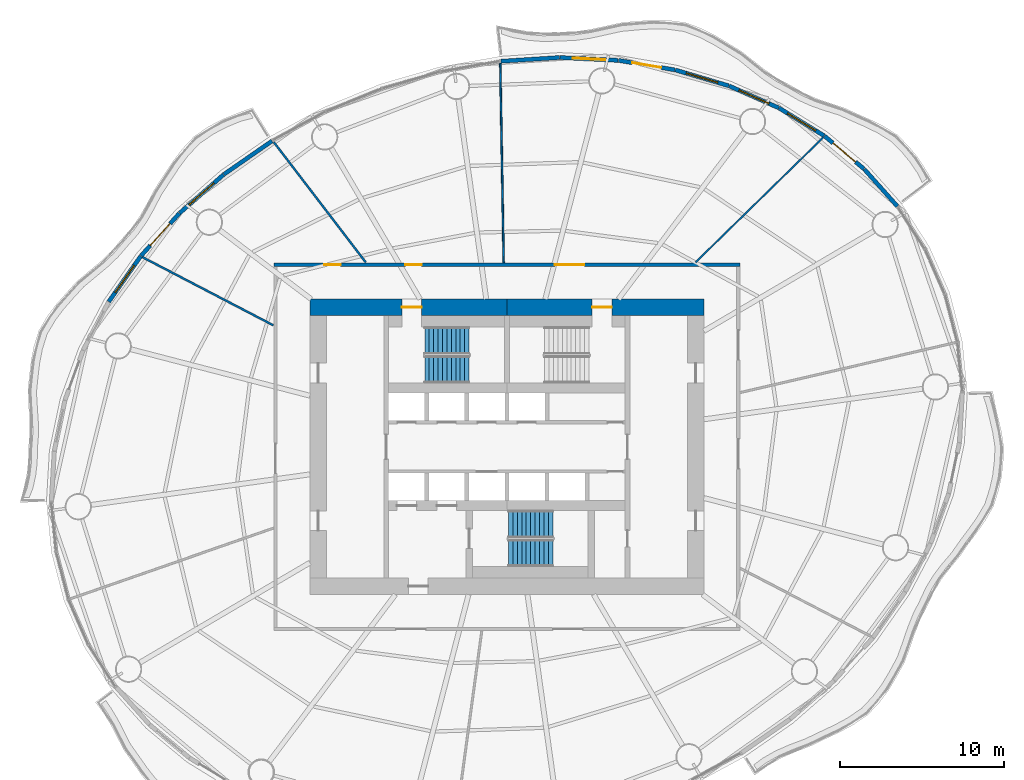
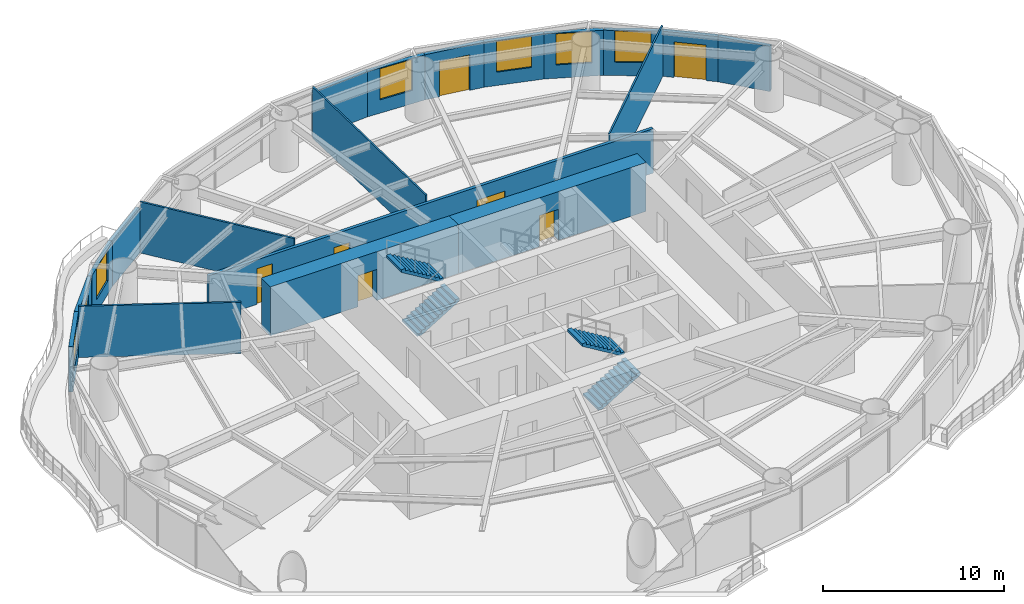
# One storey, part 10 of 16: 19 walls, 8 doors, 6 windows, 4 stair flights, 14 openings, 2 elements without a shape of their own.
"""IFC4 building model written with IfcOpenShell, lengths in metres."""

from ifc_helpers import new_model, si_unit, direction, frame, frame_2d, origin, place, context, subcontext, project, spatial, polyline, rectangle, outline, extrude, material, layer, layer_set, type_object, element, fill, aggregate, save


model = new_model("IFC4")

# Units and contexts
model_context = context("Model", 3, precision=1e-05, world=origin(), true_north=direction((0.0, 1.0)))
body_context = subcontext(model_context, "Body", "Model", "MODEL_VIEW")
ifc_project = project(units=[si_unit("LENGTHUNIT", "METRE"), si_unit("AREAUNIT", "SQUARE_METRE"), si_unit("VOLUMEUNIT", "CUBIC_METRE"), si_unit("PLANEANGLEUNIT", "RADIAN"), si_unit("MASSUNIT", "GRAM", prefix="KILO")], contexts=[model_context])

# Site, building, storey
site_placement = place(None, origin())
site = spatial("IfcSite", under=ifc_project, at=site_placement, CompositionType="ELEMENT")
building_placement = place(site_placement, origin())
building = spatial("IfcBuilding", under=site, at=building_placement, Name="Vermilion Reach Broadcast Tower", CompositionType="ELEMENT")
storey_placement = place(building_placement, frame((0.0, 0.0, 110.199951171875)))
storey = spatial("IfcBuildingStorey", under=building, at=storey_placement, Name="L25", CompositionType="ELEMENT", Elevation=110.199951171875)

# Wall, opening, door
ifc_material_1 = material(Name="Concrete C70", Category="concrete")
ifc_layer_1 = layer(ifc_material_1, 1.0)
ifc_layer_set_1 = layer_set([ifc_layer_1], Name="Core outer wall 1000 mm Concrete C70")
wall_type_1 = type_object("IfcWallType", Name="Core outer wall 1000 mm Concrete C70", PredefinedType="SHEAR", material=ifc_layer_set_1)
wall_1_placement = place(storey_placement, frame((6.0, 8.5, 0.0), z_axis=(0.0, 0.0, 1.0), x_axis=(-1.0, 0.0, 0.0)))
wall_1 = element("IfcWall", 1, at=wall_1_placement, inside=storey, type_object=wall_type_1, Name="L25 core wall onE", PredefinedType="SHEAR", context=body_context, shape_type="SweptSolid", body=[
    extrude(rectangle(XDim=12.0, YDim=1.0, at=frame_2d((6.0, 0.0))), origin(), (0.0, 0.0, 1.0), 3.300048828125),
])
opening_1_placement = place(wall_1_placement, frame((5.60009765625, 0.0, 0.0)))
opening_1 = element("IfcOpeningElement", 2, at=opening_1_placement, cuts=wall_1, Name="Opening D01", PredefinedType="OPENING", context=body_context, shape_type="SweptSolid", body=[
    extrude(rectangle(XDim=1.199951171875, YDim=2.10009765625, at=frame_2d((0.60009765625, 1.050048828125))), frame((0.0, 0.510009765625, 0.0), z_axis=(0.0, -1.0, 0.0), x_axis=(1.0, 0.0, 0.0)), (0.0, 0.0, 1.0), 1.02001953125),
])
ifc_material_2 = material(Name="Painted steel fire door", Category="steel")
door_type_1 = type_object("IfcDoorType", Name="Stair door 1200 x 2100", OperationType="DOUBLE_DOOR_SINGLE_SWING", PredefinedType="NOTDEFINED", material=ifc_material_2)
door_1_placement = place(opening_1_placement, origin())
door_1 = element("IfcDoor", 3, at=door_1_placement, inside=storey, type_object=door_type_1, Name="L25 stair door ST2", OperationType="DOUBLE_DOOR_SINGLE_SWING", OverallHeight=2.10009765625, OverallWidth=1.199951171875, PredefinedType="NOTDEFINED", context=body_context, shape_type="SweptSolid", body=[
    extrude(rectangle(XDim=1.199951171875, YDim=2.10009765625, at=frame_2d((0.60009765625, 1.050048828125))), frame((0.0, 0.02490234375, 0.0), z_axis=(0.0, -1.0, 0.0), x_axis=(1.0, 0.0, 0.0)), (0.0, 0.0, 1.0), 0.050048828125),
])
fill(opening_1, door_1)

wall_2_placement = place(storey_placement, frame((-6.0, 8.5, 0.0), z_axis=(0.0, 0.0, 1.0), x_axis=(-1.0, 0.0, 0.0)))
wall_2 = element("IfcWall", 4, at=wall_2_placement, inside=storey, type_object=wall_type_1, Name="L25 core wall onW", PredefinedType="SHEAR", context=body_context, shape_type="SweptSolid", body=[
    extrude(rectangle(XDim=12.0, YDim=1.0, at=frame_2d((6.0, 0.0))), origin(), (0.0, 0.0, 1.0), 3.300048828125),
])
opening_2_placement = place(wall_2_placement, frame((5.199951171875, 0.0, 0.0)))
opening_2 = element("IfcOpeningElement", 5, at=opening_2_placement, cuts=wall_2, Name="Opening D01", PredefinedType="OPENING", context=body_context, shape_type="SweptSolid", body=[
    extrude(rectangle(XDim=1.199951171875, YDim=2.10009765625, at=frame_2d((0.60009765625, 1.050048828125))), frame((0.0, 0.510009765625, 0.0), z_axis=(0.0, -1.0, 0.0), x_axis=(1.0, 0.0, 0.0)), (0.0, 0.0, 1.0), 1.02001953125),
])
door_2_placement = place(opening_2_placement, origin())
door_2 = element("IfcDoor", 6, at=door_2_placement, inside=storey, type_object=door_type_1, Name="L25 stair door ST1", OperationType="DOUBLE_DOOR_SINGLE_SWING", OverallHeight=2.10009765625, OverallWidth=1.199951171875, PredefinedType="NOTDEFINED", context=body_context, shape_type="SweptSolid", body=[
    extrude(rectangle(XDim=1.199951171875, YDim=2.10009765625, at=frame_2d((0.60009765625, 1.050048828125))), frame((0.0, 0.02490234375, 0.0), z_axis=(0.0, -1.0, 0.0), x_axis=(1.0, 0.0, 0.0)), (0.0, 0.0, 1.0), 0.050048828125),
])
fill(opening_2, door_2)

# Walls
ifc_material_3 = material(Name="Plasterboard on steel stud", Category="steel")
ifc_layer_2 = layer(ifc_material_3, 0.10009765625)
ifc_layer_set_2 = layer_set([ifc_layer_2], Name="Partition 100 steel stud")
wall_type_2 = type_object("IfcWallType", Name="Partition 100 steel stud", PredefinedType="PARTITIONING", material=ifc_layer_set_2)
wall_3_placement = place(storey_placement, frame((13.264892578125, 18.84228515625, 0.0), z_axis=(0.0, 0.0, 1.0), x_axis=(-0.714906942323, -0.699219610579, 0.0)))
element("IfcWall", 7, at=wall_3_placement, inside=storey, type_object=wall_type_2, Name="Partition 25.01", PredefinedType="PARTITIONING", context=body_context, shape_type="SweptSolid", body=[
    extrude(rectangle(XDim=10.87841796875, YDim=0.10009765625, at=frame_2d((5.439208984375, 0.0))), origin(), (0.0, 0.0, 1.0), 3.449951171875),
])
wall_4_placement = place(storey_placement, frame((-6.4033203125, 23.36083984375, 0.0), z_axis=(0.0, 0.0, 1.0), x_axis=(0.017264075927, -0.999850964735, 0.0)))
element("IfcWall", 8, at=wall_4_placement, inside=storey, type_object=wall_type_2, Name="Partition 25.02", PredefinedType="PARTITIONING", context=body_context, shape_type="SweptSolid", body=[
    extrude(rectangle(XDim=12.16162109375, YDim=0.10009765625, at=frame_2d((6.080810546875, 0.0))), origin(), (0.0, 0.0, 1.0), 3.449951171875),
])
ifc_material_4 = material(Name="Fire-rated plasterboard on steel stud", Category="steel")
ifc_layer_3 = layer(ifc_material_4, 0.125)
ifc_layer_set_3 = layer_set([ifc_layer_3], Name="Partition 125 fire-rated stud")
wall_type_3 = type_object("IfcWallType", Name="Partition 125 fire-rated stud", PredefinedType="PARTITIONING", material=ifc_layer_set_3)
wall_5_placement = place(storey_placement, frame((-20.194580078125, 18.558349609375, 0.0), z_axis=(0.0, 0.0, 1.0), x_axis=(0.607534665721, -0.79429316373, 0.0)))
element("IfcWall", 9, at=wall_5_placement, inside=storey, type_object=wall_type_3, Name="Partition 25.03", PredefinedType="PARTITIONING", context=body_context, shape_type="SweptSolid", body=[
    extrude(rectangle(XDim=9.216064453125, YDim=0.125, at=frame_2d((4.60791015625, 0.0))), origin(), (0.0, 0.0, 1.0), 3.449951171875),
])
wall_6_placement = place(storey_placement, frame((-28.196533203125, 11.552978515625, 0.0), z_axis=(0.0, 0.0, 1.0), x_axis=(0.887035614959, -0.461701004759, 0.0)))
element("IfcWall", 10, at=wall_6_placement, inside=storey, type_object=wall_type_3, Name="Partition 25.04", PredefinedType="PARTITIONING", context=body_context, shape_type="SweptSolid", body=[
    extrude(rectangle(XDim=8.982421875, YDim=0.125, at=frame_2d((4.4912109375, 0.0))), origin(), (0.0, 0.0, 1.0), 3.449951171875),
])
ifc_material_5 = material(Name="Terracotta rainscreen cladding", Category="masonry")
ifc_layer_4 = layer(ifc_material_5, 0.25)
ifc_layer_set_4 = layer_set([ifc_layer_4], Name="Terracotta rainscreen wall 250")
wall_type_4 = type_object("IfcWallType", Name="Terracotta rainscreen wall 250", PredefinedType="SOLIDWALL", material=ifc_layer_set_4)
wall_7_placement = place(storey_placement, frame((17.78857421875, 14.654052734375, 0.0), z_axis=(0.0, 0.0, 1.0), x_axis=(-0.665250226688, 0.746620476475, 0.0)))
element("IfcWall", 11, at=wall_7_placement, inside=storey, type_object=wall_type_4, Name="External wall L25 02", PredefinedType="SOLIDWALL", context=body_context, shape_type="SweptSolid", body=[
    extrude(rectangle(XDim=3.0244140625, YDim=0.25, at=frame_2d((1.51220703125, 0.0))), origin(), (0.0, 0.0, 1.0), 3.050048828125),
])

# Wall, opening, door
wall_8_placement = place(storey_placement, frame((15.757568359375, 16.930419921875, 0.0), z_axis=(0.0, 0.0, 1.0), x_axis=(-0.768712564722, 0.639594397129, 0.0)))
wall_8 = element("IfcWall", 12, at=wall_8_placement, inside=storey, type_object=wall_type_4, Name="External wall L25 03", PredefinedType="SOLIDWALL", context=body_context, shape_type="SweptSolid", body=[
    extrude(rectangle(XDim=3.135009765625, YDim=0.25, at=frame_2d((1.5673828125, 0.0))), origin(), (0.0, 0.0, 1.0), 3.050048828125),
])
opening_3_placement = place(wall_8_placement, frame((0.6669921875, 0.0, 0.0)))
opening_3 = element("IfcOpeningElement", 13, at=opening_3_placement, cuts=wall_8, Name="Opening D70", PredefinedType="OPENING", context=body_context, shape_type="SweptSolid", body=[
    extrude(rectangle(XDim=1.800048828125, YDim=2.39990234375, at=frame_2d((0.89990234375, 1.199951171875))), frame((0.0, 0.135009765625, 0.0), z_axis=(0.0, -1.0, 0.0), x_axis=(1.0, 0.0, 0.0)), (0.0, 0.0, 1.0), 0.27001953125),
])
ifc_material_6 = material(Name="Low-e laminated clear glass in aluminium frame", Category="aluminium")
door_type_2 = type_object("IfcDoorType", Name="Balcony sliding door 1800 x 2400", OperationType="DOUBLE_DOOR_SLIDING", PredefinedType="DOOR", material=ifc_material_6)
door_3_placement = place(opening_3_placement, origin())
door_3 = element("IfcDoor", 14, at=door_3_placement, inside=storey, type_object=door_type_2, Name="Balcony door L25 run 01", OperationType="DOUBLE_DOOR_SLIDING", OverallHeight=2.39990234375, OverallWidth=1.800048828125, PredefinedType="DOOR", context=body_context, shape_type="SweptSolid", body=[
    extrude(rectangle(XDim=1.800048828125, YDim=2.39990234375, at=frame_2d((0.89990234375, 1.199951171875))), frame((0.0, 0.02490234375, 0.0), z_axis=(0.0, -1.0, 0.0), x_axis=(1.0, 0.0, 0.0)), (0.0, 0.0, 1.0), 0.050048828125),
])
fill(opening_3, door_3)

# Wall, opening, window
wall_9_placement = place(storey_placement, frame((13.32666015625, 18.95068359375, 0.0), z_axis=(0.0, 0.0, 1.0), x_axis=(-0.851681761788, 0.524059325494, 0.0)))
wall_9 = element("IfcWall", 15, at=wall_9_placement, inside=storey, type_object=wall_type_4, Name="External wall L25 04", PredefinedType="SOLIDWALL", context=body_context, shape_type="SweptSolid", body=[
    extrude(rectangle(XDim=3.2177734375, YDim=0.25, at=frame_2d((1.60888671875, 0.0))), origin(), (0.0, 0.0, 1.0), 3.050048828125),
])
opening_4_placement = place(wall_9_placement, frame((0.60888671875, 0.0, 0.89990234375)))
opening_4 = element("IfcOpeningElement", 16, at=opening_4_placement, cuts=wall_9, Name="Opening W03", PredefinedType="OPENING", context=body_context, shape_type="SweptSolid", body=[
    extrude(rectangle(XDim=2.0, YDim=2.10009765625, at=frame_2d((1.0, 1.050048828125))), frame((0.0, 0.135009765625, 0.0), z_axis=(0.0, -1.0, 0.0), x_axis=(1.0, 0.0, 0.0)), (0.0, 0.0, 1.0), 0.27001953125),
])
ifc_material_7 = material(Name="Low-e laminated clear glass in aluminium frame", Category="aluminium")
window_type = type_object("IfcWindowType", Name="Punched window 2000 x 2100 sill 900", PartitioningType="SINGLE_PANEL", PredefinedType="WINDOW", material=ifc_material_7)
window_1_placement = place(opening_4_placement, origin())
window_1 = element("IfcWindow", 17, at=window_1_placement, inside=storey, type_object=window_type, Name="Window L25 04", OverallHeight=2.10009765625, OverallWidth=2.0, PartitioningType="SINGLE_PANEL", PredefinedType="WINDOW", context=body_context, shape_type="SweptSolid", body=[
    extrude(rectangle(XDim=2.0, YDim=2.10009765625, at=frame_2d((1.0, 1.050048828125))), frame((0.0, 0.030029296875, 0.0), z_axis=(0.0, -1.0, 0.0), x_axis=(1.0, 0.0, 0.0)), (0.0, 0.0, 1.0), 0.06005859375),
])
fill(opening_4, window_1)

wall_10_placement = place(storey_placement, frame((10.564208984375, 20.6484375, 0.0), z_axis=(0.0, 0.0, 1.0), x_axis=(-0.91455266452, 0.404466838961, 0.0)))
wall_10 = element("IfcWall", 18, at=wall_10_placement, inside=storey, type_object=wall_type_4, Name="External wall L25 05", PredefinedType="SOLIDWALL", context=body_context, shape_type="SweptSolid", body=[
    extrude(rectangle(XDim=3.307861328125, YDim=0.25, at=frame_2d((1.65380859375, 0.0))), origin(), (0.0, 0.0, 1.0), 3.050048828125),
])
opening_5_placement = place(wall_10_placement, frame((0.65380859375, 0.0, 0.89990234375)))
opening_5 = element("IfcOpeningElement", 19, at=opening_5_placement, cuts=wall_10, Name="Opening W03", PredefinedType="OPENING", context=body_context, shape_type="SweptSolid", body=[
    extrude(rectangle(XDim=2.0, YDim=2.10009765625, at=frame_2d((1.0, 1.050048828125))), frame((0.0, 0.135009765625, 0.0), z_axis=(0.0, -1.0, 0.0), x_axis=(1.0, 0.0, 0.0)), (0.0, 0.0, 1.0), 0.27001953125),
])
window_2_placement = place(opening_5_placement, origin())
window_2 = element("IfcWindow", 20, at=window_2_placement, inside=storey, type_object=window_type, Name="Window L25 05", OverallHeight=2.10009765625, OverallWidth=2.0, PartitioningType="SINGLE_PANEL", PredefinedType="WINDOW", context=body_context, shape_type="SweptSolid", body=[
    extrude(rectangle(XDim=2.0, YDim=2.10009765625, at=frame_2d((1.0, 1.050048828125))), frame((0.0, 0.030029296875, 0.0), z_axis=(0.0, -1.0, 0.0), x_axis=(1.0, 0.0, 0.0)), (0.0, 0.0, 1.0), 0.06005859375),
])
fill(opening_5, window_2)

wall_11_placement = place(storey_placement, frame((7.5166015625, 21.99462890625, 0.0), z_axis=(0.0, 0.0, 1.0), x_axis=(-0.958824925222, 0.283997821775, 0.0)))
wall_11 = element("IfcWall", 21, at=wall_11_placement, inside=storey, type_object=wall_type_4, Name="External wall L25 06", PredefinedType="SOLIDWALL", context=body_context, shape_type="SweptSolid", body=[
    extrude(rectangle(XDim=3.398193359375, YDim=0.25, at=frame_2d((1.69921875, 0.0))), origin(), (0.0, 0.0, 1.0), 3.050048828125),
])
opening_6_placement = place(wall_11_placement, frame((0.698974609375, 0.0, 0.89990234375)))
opening_6 = element("IfcOpeningElement", 22, at=opening_6_placement, cuts=wall_11, Name="Opening W03", PredefinedType="OPENING", context=body_context, shape_type="SweptSolid", body=[
    extrude(rectangle(XDim=2.0, YDim=2.10009765625, at=frame_2d((1.0, 1.050048828125))), frame((0.0, 0.135009765625, 0.0), z_axis=(0.0, -1.0, 0.0), x_axis=(1.0, 0.0, 0.0)), (0.0, 0.0, 1.0), 0.27001953125),
])
window_3_placement = place(opening_6_placement, origin())
window_3 = element("IfcWindow", 23, at=window_3_placement, inside=storey, type_object=window_type, Name="Window L25 06", OverallHeight=2.10009765625, OverallWidth=2.0, PartitioningType="SINGLE_PANEL", PredefinedType="WINDOW", context=body_context, shape_type="SweptSolid", body=[
    extrude(rectangle(XDim=2.0, YDim=2.10009765625, at=frame_2d((1.0, 1.050048828125))), frame((0.0, 0.030029296875, 0.0), z_axis=(0.0, -1.0, 0.0), x_axis=(1.0, 0.0, 0.0)), (0.0, 0.0, 1.0), 0.06005859375),
])
fill(opening_6, window_3)

# Wall, opening, door
wall_12_placement = place(storey_placement, frame((4.23583984375, 22.965087890625, 0.0), z_axis=(0.0, 0.0, 1.0), x_axis=(-0.986281925568, 0.165069571083, 0.0)))
wall_12 = element("IfcWall", 24, at=wall_12_placement, inside=storey, type_object=wall_type_4, Name="External wall L25 07", PredefinedType="SOLIDWALL", context=body_context, shape_type="SweptSolid", body=[
    extrude(rectangle(XDim=3.483154296875, YDim=0.25, at=frame_2d((1.74169921875, 0.0))), origin(), (0.0, 0.0, 1.0), 3.050048828125),
])
opening_7_placement = place(wall_12_placement, frame((0.842041015625, 0.0, 0.0)))
opening_7 = element("IfcOpeningElement", 25, at=opening_7_placement, cuts=wall_12, Name="Opening D70", PredefinedType="OPENING", context=body_context, shape_type="SweptSolid", body=[
    extrude(rectangle(XDim=1.800048828125, YDim=2.39990234375, at=frame_2d((0.89990234375, 1.199951171875))), frame((0.0, 0.135009765625, 0.0), z_axis=(0.0, -1.0, 0.0), x_axis=(1.0, 0.0, 0.0)), (0.0, 0.0, 1.0), 0.27001953125),
])
door_4_placement = place(opening_7_placement, origin())
door_4 = element("IfcDoor", 26, at=door_4_placement, inside=storey, type_object=door_type_2, Name="Balcony door L25 run 02", OperationType="DOUBLE_DOOR_SLIDING", OverallHeight=2.39990234375, OverallWidth=1.800048828125, PredefinedType="DOOR", context=body_context, shape_type="SweptSolid", body=[
    extrude(rectangle(XDim=1.800048828125, YDim=2.39990234375, at=frame_2d((0.89990234375, 1.199951171875))), frame((0.0, 0.02490234375, 0.0), z_axis=(0.0, -1.0, 0.0), x_axis=(1.0, 0.0, 0.0)), (0.0, 0.0, 1.0), 0.050048828125),
])
fill(opening_7, door_4)

# Wall, opening, window
wall_13_placement = place(storey_placement, frame((0.778076171875, 23.54248046875, 0.0), z_axis=(0.0, 0.0, 1.0), x_axis=(-0.998802311513, 0.048927931852, 0.0)))
wall_13 = element("IfcWall", 27, at=wall_13_placement, inside=storey, type_object=wall_type_4, Name="External wall L25 08", PredefinedType="SOLIDWALL", context=body_context, shape_type="SweptSolid", body=[
    extrude(rectangle(XDim=3.5576171875, YDim=0.25, at=frame_2d((1.77880859375, 0.0))), origin(), (0.0, 0.0, 1.0), 3.050048828125),
])
opening_8_placement = place(wall_13_placement, frame((0.77880859375, 0.0, 0.89990234375)))
opening_8 = element("IfcOpeningElement", 28, at=opening_8_placement, cuts=wall_13, Name="Opening W03", PredefinedType="OPENING", context=body_context, shape_type="SweptSolid", body=[
    extrude(rectangle(XDim=2.0, YDim=2.10009765625, at=frame_2d((1.0, 1.050048828125))), frame((0.0, 0.135009765625, 0.0), z_axis=(0.0, -1.0, 0.0), x_axis=(1.0, 0.0, 0.0)), (0.0, 0.0, 1.0), 0.27001953125),
])
window_4_placement = place(opening_8_placement, origin())
window_4 = element("IfcWindow", 29, at=window_4_placement, inside=storey, type_object=window_type, Name="Window L25 08", OverallHeight=2.10009765625, OverallWidth=2.0, PartitioningType="SINGLE_PANEL", PredefinedType="WINDOW", context=body_context, shape_type="SweptSolid", body=[
    extrude(rectangle(XDim=2.0, YDim=2.10009765625, at=frame_2d((1.0, 1.050048828125))), frame((0.0, 0.030029296875, 0.0), z_axis=(0.0, -1.0, 0.0), x_axis=(1.0, 0.0, 0.0)), (0.0, 0.0, 1.0), 0.06005859375),
])
fill(opening_8, window_4)

# Walls
wall_14_placement = place(storey_placement, frame((-2.79736328125, 23.71630859375, 0.0), z_axis=(0.0, 0.0, 1.0), x_axis=(-0.997966032013, -0.063747932895, 0.0)))
element("IfcWall", 30, at=wall_14_placement, inside=storey, type_object=wall_type_4, Name="External wall L25 09", PredefinedType="SOLIDWALL", context=body_context, shape_type="SweptSolid", body=[
    extrude(rectangle(XDim=3.5732421875, YDim=0.25, at=frame_2d((1.78662109375, 0.0))), origin(), (0.0, 0.0, 1.0), 3.050048828125),
])
wall_15_placement = place(storey_placement, frame((-20.30517578125, 18.63330078125, 0.0), z_axis=(0.0, 0.0, 1.0), x_axis=(-0.821702391874, -0.56991681778, 0.0)))
element("IfcWall", 31, at=wall_15_placement, inside=storey, type_object=wall_type_4, Name="External wall L25 14", PredefinedType="SOLIDWALL", context=body_context, shape_type="SweptSolid", body=[
    extrude(rectangle(XDim=3.572998046875, YDim=0.25, at=frame_2d((1.78662109375, 0.0))), origin(), (0.0, 0.0, 1.0), 3.050048828125),
])

# Wall, opening, window
wall_16_placement = place(storey_placement, frame((-23.258544921875, 16.58349609375, 0.0), z_axis=(0.0, 0.0, 1.0), x_axis=(-0.752389619374, -0.658718346988, 0.0)))
wall_16 = element("IfcWall", 32, at=wall_16_placement, inside=storey, type_object=wall_type_4, Name="External wall L25 15", PredefinedType="SOLIDWALL", context=body_context, shape_type="SweptSolid", body=[
    extrude(rectangle(XDim=3.5576171875, YDim=0.25, at=frame_2d((1.77880859375, 0.0))), origin(), (0.0, 0.0, 1.0), 3.050048828125),
])
opening_9_placement = place(wall_16_placement, frame((0.77880859375, 0.0, 0.89990234375)))
opening_9 = element("IfcOpeningElement", 33, at=opening_9_placement, cuts=wall_16, Name="Opening W03", PredefinedType="OPENING", context=body_context, shape_type="SweptSolid", body=[
    extrude(rectangle(XDim=2.0, YDim=2.10009765625, at=frame_2d((1.0, 1.050048828125))), frame((0.0, 0.135009765625, 0.0), z_axis=(0.0, -1.0, 0.0), x_axis=(1.0, 0.0, 0.0)), (0.0, 0.0, 1.0), 0.27001953125),
])
window_5_placement = place(opening_9_placement, origin())
window_5 = element("IfcWindow", 34, at=window_5_placement, inside=storey, type_object=window_type, Name="Window L25 15", OverallHeight=2.10009765625, OverallWidth=2.0, PartitioningType="SINGLE_PANEL", PredefinedType="WINDOW", context=body_context, shape_type="SweptSolid", body=[
    extrude(rectangle(XDim=2.0, YDim=2.10009765625, at=frame_2d((1.0, 1.050048828125))), frame((0.0, 0.030029296875, 0.0), z_axis=(0.0, -1.0, 0.0), x_axis=(1.0, 0.0, 0.0)), (0.0, 0.0, 1.0), 0.06005859375),
])
fill(opening_9, window_5)

# Wall, opening, door
wall_17_placement = place(storey_placement, frame((-25.951416015625, 14.22412109375, 0.0), z_axis=(0.0, 0.0, 1.0), x_axis=(-0.670380889725, -0.74201715795, 0.0)))
wall_17 = element("IfcWall", 35, at=wall_17_placement, inside=storey, type_object=wall_type_4, Name="External wall L25 16", PredefinedType="SOLIDWALL", context=body_context, shape_type="SweptSolid", body=[
    extrude(rectangle(XDim=3.483154296875, YDim=0.25, at=frame_2d((1.74169921875, 0.0))), origin(), (0.0, 0.0, 1.0), 3.050048828125),
])
opening_10_placement = place(wall_17_placement, frame((0.842041015625, 0.0, 0.0)))
opening_10 = element("IfcOpeningElement", 36, at=opening_10_placement, cuts=wall_17, Name="Opening D70", PredefinedType="OPENING", context=body_context, shape_type="SweptSolid", body=[
    extrude(rectangle(XDim=1.800048828125, YDim=2.39990234375, at=frame_2d((0.89990234375, 1.199951171875))), frame((0.0, 0.135009765625, 0.0), z_axis=(0.0, -1.0, 0.0), x_axis=(1.0, 0.0, 0.0)), (0.0, 0.0, 1.0), 0.27001953125),
])
door_5_placement = place(opening_10_placement, origin())
door_5 = element("IfcDoor", 37, at=door_5_placement, inside=storey, type_object=door_type_2, Name="Balcony door L25 run 04", OperationType="DOUBLE_DOOR_SLIDING", OverallHeight=2.39990234375, OverallWidth=1.800048828125, PredefinedType="DOOR", context=body_context, shape_type="SweptSolid", body=[
    extrude(rectangle(XDim=1.800048828125, YDim=2.39990234375, at=frame_2d((0.89990234375, 1.199951171875))), frame((0.0, 0.02490234375, 0.0), z_axis=(0.0, -1.0, 0.0), x_axis=(1.0, 0.0, 0.0)), (0.0, 0.0, 1.0), 0.050048828125),
])
fill(opening_10, door_5)

# Wall, opening, window
wall_18_placement = place(storey_placement, frame((-28.30078125, 11.62158203125, 0.0), z_axis=(0.0, 0.0, 1.0), x_axis=(-0.57497541368, -0.818170687365, 0.0)))
wall_18 = element("IfcWall", 38, at=wall_18_placement, inside=storey, type_object=wall_type_4, Name="External wall L25 17", PredefinedType="SOLIDWALL", context=body_context, shape_type="SweptSolid", body=[
    extrude(rectangle(XDim=3.398193359375, YDim=0.25, at=frame_2d((1.69921875, 0.0))), origin(), (0.0, 0.0, 1.0), 3.050048828125),
])
opening_11_placement = place(wall_18_placement, frame((0.698974609375, 0.0, 0.89990234375)))
opening_11 = element("IfcOpeningElement", 39, at=opening_11_placement, cuts=wall_18, Name="Opening W03", PredefinedType="OPENING", context=body_context, shape_type="SweptSolid", body=[
    extrude(rectangle(XDim=2.0, YDim=2.10009765625, at=frame_2d((1.0, 1.050048828125))), frame((0.0, 0.135009765625, 0.0), z_axis=(0.0, -1.0, 0.0), x_axis=(1.0, 0.0, 0.0)), (0.0, 0.0, 1.0), 0.27001953125),
])
window_6_placement = place(opening_11_placement, origin())
window_6 = element("IfcWindow", 40, at=window_6_placement, inside=storey, type_object=window_type, Name="Window L25 17", OverallHeight=2.10009765625, OverallWidth=2.0, PartitioningType="SINGLE_PANEL", PredefinedType="WINDOW", context=body_context, shape_type="SweptSolid", body=[
    extrude(rectangle(XDim=2.0, YDim=2.10009765625, at=frame_2d((1.0, 1.050048828125))), frame((0.0, 0.030029296875, 0.0), z_axis=(0.0, -1.0, 0.0), x_axis=(1.0, 0.0, 0.0)), (0.0, 0.0, 1.0), 0.06005859375),
])
fill(opening_11, window_6)

# Wall, openings, doors
ifc_material_8 = material(Name="Fire-rated gypsum board partition")
ifc_layer_5 = layer(ifc_material_8, 0.199951171875)
ifc_layer_set_5 = layer_set([ifc_layer_5], Name="Under girder: Corridor wall 200 fire-rated")
wall_type_5 = type_object("IfcWallType", Name="Under girder: Corridor wall 200 fire-rated", PredefinedType="PARTITIONING", material=ifc_layer_set_5)
wall_19_placement = place(storey_placement, frame((-20.199951171875, 11.10009765625, 0.0), z_axis=(0.0, 0.0, 1.0), x_axis=(1.0, 0.0, 0.0)))
wall_19 = element("IfcWall", 41, at=wall_19_placement, inside=storey, type_object=wall_type_5, Name="Corridor wall 25.N", PredefinedType="PARTITIONING", context=body_context, shape_type="SweptSolid", body=[
    extrude(rectangle(XDim=28.39990234375, YDim=0.199951171875, at=frame_2d((14.199951171875, 0.0))), origin(), (0.0, 0.0, 1.0), 3.0),
])
opening_12_placement = place(wall_19_placement, frame((17.1201171875, 0.0, 0.0)))
opening_12 = element("IfcOpeningElement", 42, at=opening_12_placement, cuts=wall_19, Name="Opening D21", PredefinedType="OPENING", context=body_context, shape_type="SweptSolid", body=[
    extrude(rectangle(XDim=1.800048828125, YDim=2.10009765625, at=frame_2d((0.89990234375, 1.050048828125))), frame((0.0, 0.10986328125, 0.0), z_axis=(0.0, -1.0, 0.0), x_axis=(1.0, 0.0, 0.0)), (0.0, 0.0, 1.0), 0.219970703125),
])
opening_13_placement = place(wall_19_placement, frame((8.010498046875, 0.0, 0.0)))
opening_13 = element("IfcOpeningElement", 43, at=opening_13_placement, cuts=wall_19, Name="Opening D20", PredefinedType="OPENING", context=body_context, shape_type="SweptSolid", body=[
    extrude(rectangle(XDim=1.0, YDim=2.10009765625, at=frame_2d((0.5, 1.050048828125))), frame((0.0, 0.10986328125, 0.0), z_axis=(0.0, -1.0, 0.0), x_axis=(1.0, 0.0, 0.0)), (0.0, 0.0, 1.0), 0.219970703125),
])
opening_14_placement = place(wall_19_placement, frame((3.078369140625, 0.0, 0.0)))
opening_14 = element("IfcOpeningElement", 44, at=opening_14_placement, cuts=wall_19, Name="Opening D23", PredefinedType="OPENING", context=body_context, shape_type="SweptSolid", body=[
    extrude(rectangle(XDim=1.0, YDim=2.39990234375, at=frame_2d((0.5, 1.199951171875))), frame((0.0, 0.10986328125, 0.0), z_axis=(0.0, -1.0, 0.0), x_axis=(1.0, 0.0, 0.0)), (0.0, 0.0, 1.0), 0.219970703125),
])
ifc_material_9 = material(Name="Timber door leaf", Category="wood")
door_type_3 = type_object("IfcDoorType", Name="Door pair 1800x2100", OperationType="NOTDEFINED", PredefinedType="DOOR", material=ifc_material_9)
door_6_placement = place(opening_12_placement, origin())
door_6 = element("IfcDoor", 45, at=door_6_placement, inside=storey, type_object=door_type_3, Name="Door 25.01", OperationType="DOUBLE_DOOR_SINGLE_SWING", OverallHeight=2.10009765625, OverallWidth=1.800048828125, PredefinedType="DOOR", context=body_context, shape_type="SweptSolid", body=[
    extrude(rectangle(XDim=1.800048828125, YDim=2.10009765625, at=frame_2d((0.89990234375, 1.050048828125))), frame((0.0, 0.02490234375, 0.0), z_axis=(0.0, -1.0, 0.0), x_axis=(1.0, 0.0, 0.0)), (0.0, 0.0, 1.0), 0.050048828125),
])
fill(opening_12, door_6)
ifc_material_10 = material(Name="Timber door leaf", Category="wood")
door_type_4 = type_object("IfcDoorType", Name="Door single 1000x2100", OperationType="NOTDEFINED", PredefinedType="DOOR", material=ifc_material_10)
door_7_placement = place(opening_13_placement, origin())
door_7 = element("IfcDoor", 46, at=door_7_placement, inside=storey, type_object=door_type_4, Name="Door 25.02", OperationType="SINGLE_SWING_LEFT", OverallHeight=2.10009765625, OverallWidth=1.0, PredefinedType="DOOR", context=body_context, shape_type="SweptSolid", body=[
    extrude(rectangle(XDim=1.0, YDim=2.10009765625, at=frame_2d((0.5, 1.050048828125))), frame((0.0, 0.02490234375, 0.0), z_axis=(0.0, -1.0, 0.0), x_axis=(1.0, 0.0, 0.0)), (0.0, 0.0, 1.0), 0.050048828125),
])
fill(opening_13, door_7)
ifc_material_11 = material(Name="Veneered timber door leaf", Category="wood")
door_type_5 = type_object("IfcDoorType", Name="Door single 1000x2400", OperationType="NOTDEFINED", PredefinedType="DOOR", material=ifc_material_11)
door_8_placement = place(opening_14_placement, origin())
door_8 = element("IfcDoor", 47, at=door_8_placement, inside=storey, type_object=door_type_5, Name="Door 25.03", OperationType="SINGLE_SWING_RIGHT", OverallHeight=2.39990234375, OverallWidth=1.0, PredefinedType="DOOR", context=body_context, shape_type="SweptSolid", body=[
    extrude(rectangle(XDim=1.0, YDim=2.39990234375, at=frame_2d((0.5, 1.199951171875))), frame((0.0, 0.02490234375, 0.0), z_axis=(0.0, -1.0, 0.0), x_axis=(1.0, 0.0, 0.0)), (0.0, 0.0, 1.0), 0.050048828125),
])
fill(opening_14, door_8)

# Stair, stair flights
ifc_material_12 = material(Name="Concrete C40", Category="concrete")
stair_type = type_object("IfcStairType", Name="Exit stair RC 22 risers 164 mm", PredefinedType="HALF_TURN_STAIR", material=ifc_material_12)
placement = place(storey_placement, origin())
stair_1 = element("IfcStair", 48, at=placement, inside=storey, type_object=stair_type, Name="L25 Exit stair ST1", PredefinedType="HALF_TURN_STAIR")
ifc_material_13 = material(Name="Concrete C40", Category="concrete")
stair_flight_type = type_object("IfcStairFlightType", Name="Exit stair flight RC 11 risers", PredefinedType="STRAIGHT", material=ifc_material_13)
stair_flight_1_placement = place(storey_placement, frame((-11.0, 4.7099609375, 0.0), z_axis=(0.0, 0.0, 1.0), x_axis=(1.0, 0.0, 0.0)))
stair_flight_1 = element("IfcStairFlight", 49, at=stair_flight_1_placement, type_object=stair_flight_type, Name="ST1 flight 1", NumberOfRisers=11, NumberOfTreads=10, PredefinedType="STRAIGHT", RiserHeight=0.163636364, TreadLength=0.27, context=body_context, shape_type="SweptSolid", body=[
    extrude(outline(polyline([(0.0, 0.0), (0.0, 0.16357421875), (0.27001953125, 0.16357421875), (0.27001953125, 0.327392578125), (0.5400390625, 0.327392578125), (0.5400390625, 0.490966796875), (0.81005859375, 0.490966796875), (0.81005859375, 0.654541015625), (1.080078125, 0.654541015625), (1.080078125, 0.818115234375), (1.35009765625, 0.818115234375), (1.35009765625, 0.98193359375), (1.6201171875, 0.98193359375), (1.6201171875, 1.1455078125), (1.889892578125, 1.1455078125), (1.889892578125, 1.30908203125), (2.159912109375, 1.30908203125), (2.159912109375, 1.47265625), (2.429931640625, 1.47265625), (2.429931640625, 1.636474609375), (2.699951171875, 1.636474609375), (2.699951171875, 1.800048828125), (2.699951171875, 1.461181640625), (0.289306640625, 0.0), (0.0, 0.0)])), frame((0.0, 0.830078125, 0.0), z_axis=(0.0, -1.0, 0.0), x_axis=(1.0, 0.0, 0.0)), (0.0, 0.0, 1.0), 1.659912109375),
])
stair_flight_2_placement = place(storey_placement, frame((-8.300048828125, 6.469970703125, 1.800048828125), z_axis=(0.0, 0.0, 1.0), x_axis=(-1.0, 0.0, 0.0)))
stair_flight_2 = element("IfcStairFlight", 50, at=stair_flight_2_placement, type_object=stair_flight_type, Name="ST1 flight 2", NumberOfRisers=11, NumberOfTreads=10, PredefinedType="STRAIGHT", RiserHeight=0.163636364, TreadLength=0.27, context=body_context, shape_type="SweptSolid", body=[
    extrude(outline(polyline([(0.0, 0.0), (0.0, 0.16357421875), (0.27001953125, 0.16357421875), (0.27001953125, 0.327392578125), (0.5400390625, 0.327392578125), (0.5400390625, 0.490966796875), (0.81005859375, 0.490966796875), (0.81005859375, 0.654541015625), (1.080078125, 0.654541015625), (1.080078125, 0.818115234375), (1.35009765625, 0.818115234375), (1.35009765625, 0.98193359375), (1.6201171875, 0.98193359375), (1.6201171875, 1.1455078125), (1.889892578125, 1.1455078125), (1.889892578125, 1.30908203125), (2.159912109375, 1.30908203125), (2.159912109375, 1.47265625), (2.429931640625, 1.47265625), (2.429931640625, 1.636474609375), (2.699951171875, 1.636474609375), (2.699951171875, 1.800048828125), (2.699951171875, 1.461181640625), (0.289306640625, 0.0), (0.0, 0.0)])), frame((0.0, 0.830078125, 0.0), z_axis=(0.0, -1.0, 0.0), x_axis=(1.0, 0.0, 0.0)), (0.0, 0.0, 1.0), 1.659912109375),
])
aggregate(stair_1, [stair_flight_1, stair_flight_2])

stair_2 = element("IfcStair", 51, at=placement, inside=storey, type_object=stair_type, Name="L25 Exit stair ST3", PredefinedType="HALF_TURN_STAIR")
stair_flight_3_placement = place(storey_placement, frame((-5.89990234375, -6.469970703125, 0.0), z_axis=(0.0, 0.0, 1.0), x_axis=(1.0, 0.0, 0.0)))
stair_flight_3 = element("IfcStairFlight", 52, at=stair_flight_3_placement, type_object=stair_flight_type, Name="ST3 flight 1", NumberOfRisers=11, NumberOfTreads=10, PredefinedType="STRAIGHT", RiserHeight=0.163636364, TreadLength=0.27, context=body_context, shape_type="SweptSolid", body=[
    extrude(outline(polyline([(0.0, 0.0), (0.0, 0.16357421875), (0.27001953125, 0.16357421875), (0.27001953125, 0.327392578125), (0.5400390625, 0.327392578125), (0.5400390625, 0.490966796875), (0.81005859375, 0.490966796875), (0.81005859375, 0.654541015625), (1.080078125, 0.654541015625), (1.080078125, 0.818115234375), (1.35009765625, 0.818115234375), (1.35009765625, 0.98193359375), (1.6201171875, 0.98193359375), (1.6201171875, 1.1455078125), (1.889892578125, 1.1455078125), (1.889892578125, 1.30908203125), (2.159912109375, 1.30908203125), (2.159912109375, 1.47265625), (2.429931640625, 1.47265625), (2.429931640625, 1.636474609375), (2.699951171875, 1.636474609375), (2.699951171875, 1.800048828125), (2.699951171875, 1.461181640625), (0.289306640625, 0.0), (0.0, 0.0)])), frame((0.0, 0.830078125, 0.0), z_axis=(0.0, -1.0, 0.0), x_axis=(1.0, 0.0, 0.0)), (0.0, 0.0, 1.0), 1.659912109375),
])
stair_flight_4_placement = place(storey_placement, frame((-3.199951171875, -4.7099609375, 1.800048828125), z_axis=(0.0, 0.0, 1.0), x_axis=(-1.0, 0.0, 0.0)))
stair_flight_4 = element("IfcStairFlight", 53, at=stair_flight_4_placement, type_object=stair_flight_type, Name="ST3 flight 2", NumberOfRisers=11, NumberOfTreads=10, PredefinedType="STRAIGHT", RiserHeight=0.163636364, TreadLength=0.27, context=body_context, shape_type="SweptSolid", body=[
    extrude(outline(polyline([(0.0, 0.0), (0.0, 0.16357421875), (0.27001953125, 0.16357421875), (0.27001953125, 0.327392578125), (0.5400390625, 0.327392578125), (0.5400390625, 0.490966796875), (0.81005859375, 0.490966796875), (0.81005859375, 0.654541015625), (1.080078125, 0.654541015625), (1.080078125, 0.818115234375), (1.35009765625, 0.818115234375), (1.35009765625, 0.98193359375), (1.6201171875, 0.98193359375), (1.6201171875, 1.1455078125), (1.889892578125, 1.1455078125), (1.889892578125, 1.30908203125), (2.159912109375, 1.30908203125), (2.159912109375, 1.47265625), (2.429931640625, 1.47265625), (2.429931640625, 1.636474609375), (2.699951171875, 1.636474609375), (2.699951171875, 1.800048828125), (2.699951171875, 1.461181640625), (0.289306640625, 0.0), (0.0, 0.0)])), frame((0.0, 0.830078125, 0.0), z_axis=(0.0, -1.0, 0.0), x_axis=(1.0, 0.0, 0.0)), (0.0, 0.0, 1.0), 1.659912109375),
])
aggregate(stair_2, [stair_flight_3, stair_flight_4])

save(model, "model.ifc")
